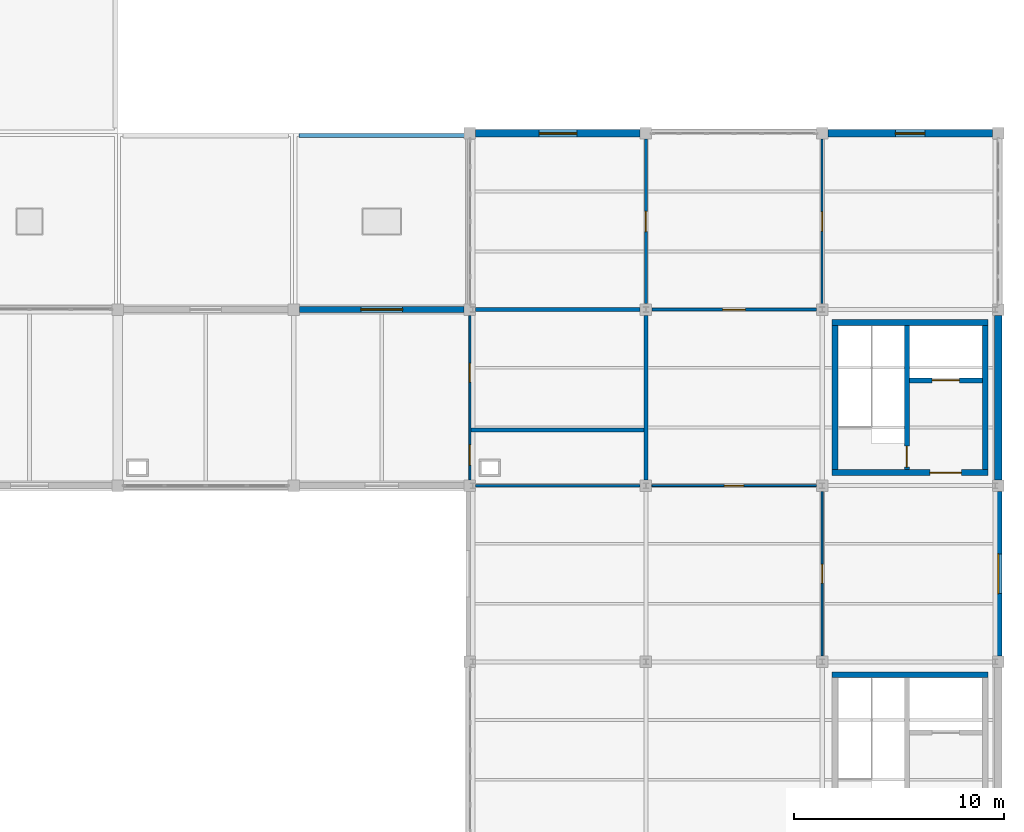
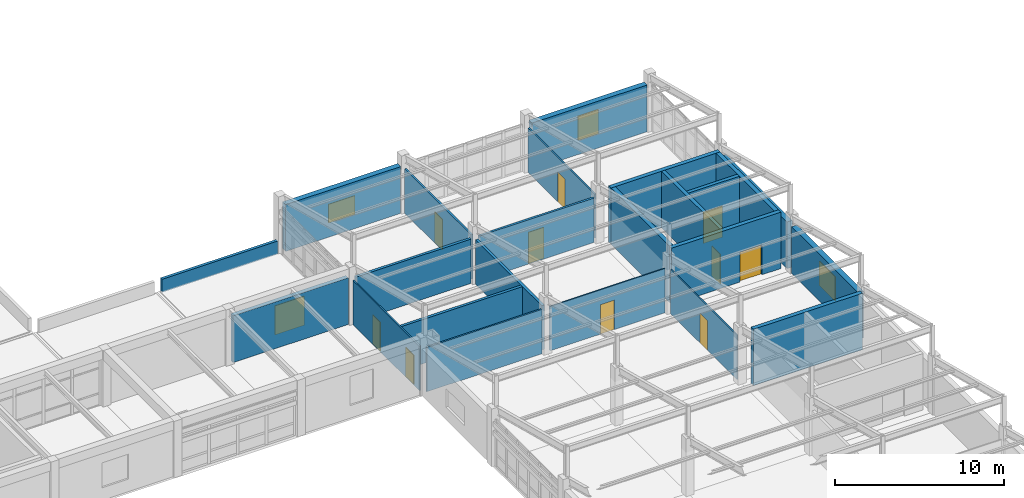
# One storey, part 69 of 74: 23 walls, 10 doors, 4 windows, 14 openings.
"""IFC4 building model written with IfcOpenShell, lengths in metres."""

from ifc_helpers import new_model, si_unit, direction, frame, frame_2d, origin, place, context, subcontext, project, spatial, rectangle, extrude, material, layer, layer_set, type_object, element, fill, save


model = new_model("IFC4")

# Units and contexts
model_context = context("Model", 3, precision=1e-05, world=origin(), true_north=direction((0.0, 1.0)))
body_context = subcontext(model_context, "Body", "Model", "MODEL_VIEW")
ifc_project = project(units=[si_unit("LENGTHUNIT", "METRE"), si_unit("AREAUNIT", "SQUARE_METRE"), si_unit("VOLUMEUNIT", "CUBIC_METRE"), si_unit("PLANEANGLEUNIT", "RADIAN"), si_unit("MASSUNIT", "GRAM", prefix="KILO")], contexts=[model_context])

# Site, building, storey
site_placement = place(None, origin())
site = spatial("IfcSite", under=ifc_project, at=site_placement, CompositionType="ELEMENT")
building_placement = place(site_placement, origin())
building = spatial("IfcBuilding", under=site, at=building_placement, Name="Porcellanite Civic Hall", CompositionType="ELEMENT")
storey_placement = place(building_placement, frame((0.0, 0.0, 14.760009765625)))
storey = spatial("IfcBuildingStorey", under=building, at=storey_placement, Name="L03", CompositionType="ELEMENT", Elevation=14.760009765625)

# Wall, opening, door
ifc_material_1 = material(Name="Concrete N40 (40 MPa)", Category="concrete")
ifc_layer_1 = layer(ifc_material_1, 0.239990234375)
ifc_layer_set_1 = layer_set([ifc_layer_1], Name="Concrete N40 (40 MPa)")
wall_type_1 = type_object("IfcWallType", Name="CW-SH240", PredefinedType="SHEAR", material=ifc_layer_set_1)
wall_1_placement = place(storey_placement, frame((163.639892578125, 51.159912109375, 0.0), z_axis=(0.0, 0.0, 1.0), x_axis=(0.0, 1.0, 0.0)))
wall_1 = element("IfcWall", 1, at=wall_1_placement, inside=storey, type_object=wall_type_1, Name="Core divider C8 L03", PredefinedType="SHEAR", context=body_context, shape_type="SweptSolid", body=[
    extrude(rectangle(XDim=6.880126953125, YDim=0.239990234375, at=frame_2d((3.43994140625, 0.0))), origin(), (0.0, 0.0, 1.0), 4.070068359375),
])
opening_1_placement = place(wall_1_placement, frame((0.1201171875, 0.0, 0.0)))
opening_1 = element("IfcOpeningElement", 2, at=opening_1_placement, cuts=wall_1, Name="Opening FD-C8-L03-ST", PredefinedType="OPENING", context=body_context, shape_type="SweptSolid", body=[
    extrude(rectangle(XDim=1.0, YDim=2.14990234375, at=frame_2d((0.5, 1.074951171875))), frame((0.0, 0.1201171875, 0.0), z_axis=(0.0, -1.0, 0.0), x_axis=(1.0, 0.0, 0.0)), (0.0, 0.0, 1.0), 0.239990234375),
])
ifc_material_2 = material(Name="Fire-rated solid-core hardwood timber", Category="wood")
door_type_1 = type_object("IfcDoorType", Name="DR-FD100", OperationType="NOTDEFINED", PredefinedType="DOOR", material=ifc_material_2)
door_1_placement = place(opening_1_placement, origin())
door_1 = element("IfcDoor", 3, at=door_1_placement, inside=storey, type_object=door_type_1, Name="Fire stair door FD-C8-L03-ST", OperationType="SINGLE_SWING_LEFT", OverallHeight=2.14990234375, OverallWidth=1.0, PredefinedType="DOOR", context=body_context, shape_type="SweptSolid", body=[
    extrude(rectangle(XDim=1.0, YDim=2.14990234375, at=frame_2d((0.5, 1.074951171875))), frame((0.0, 0.02490234375, 0.0), z_axis=(0.0, -1.0, 0.0), x_axis=(1.0, 0.0, 0.0)), (0.0, 0.0, 1.0), 0.050048828125),
])
fill(opening_1, door_1)

wall_2_placement = place(storey_placement, frame((163.760009765625, 55.419921875, 0.0), z_axis=(0.0, 0.0, 1.0), x_axis=(1.0, 0.0, 0.0)))
wall_2 = element("IfcWall", 4, at=wall_2_placement, inside=storey, type_object=wall_type_1, Name="Lift shaft wall C8 L03", PredefinedType="SHEAR", context=body_context, shape_type="SweptSolid", body=[
    extrude(rectangle(XDim=3.47998046875, YDim=0.239990234375, at=frame_2d((1.739990234375, 0.0))), origin(), (0.0, 0.0, 1.0), 4.070068359375),
])
opening_2_placement = place(wall_2_placement, frame((1.090087890625, 0.0, 0.0)))
opening_2 = element("IfcOpeningElement", 5, at=opening_2_placement, cuts=wall_2, Name="Opening LD-08", PredefinedType="OPENING", context=body_context, shape_type="SweptSolid", body=[
    extrude(rectangle(XDim=1.300048828125, YDim=2.25, at=frame_2d((0.64990234375, 1.125))), frame((0.0, 0.1201171875, 0.0), z_axis=(0.0, -1.0, 0.0), x_axis=(1.0, 0.0, 0.0)), (0.0, 0.0, 1.0), 0.239990234375),
])
ifc_material_3 = material(Name="Brushed stainless steel 316", Category="steel")
door_type_2 = type_object("IfcDoorType", Name="DR-LD130", OperationType="DOUBLE_DOOR_SLIDING", PredefinedType="DOOR", material=ifc_material_3)
door_2_placement = place(opening_2_placement, origin())
door_2 = element("IfcDoor", 6, at=door_2_placement, inside=storey, type_object=door_type_2, Name="Lift landing sliding door LD-08 L03", OperationType="DOUBLE_DOOR_SLIDING", OverallHeight=2.25, OverallWidth=1.300048828125, PredefinedType="DOOR", context=body_context, shape_type="SweptSolid", body=[
    extrude(rectangle(XDim=1.300048828125, YDim=2.25, at=frame_2d((0.64990234375, 1.125))), frame((0.0, 0.02490234375, 0.0), z_axis=(0.0, -1.0, 0.0), x_axis=(1.0, 0.0, 0.0)), (0.0, 0.0, 1.0), 0.050048828125),
])
fill(opening_2, door_2)

# Wall
ifc_material_4 = material(Name="Concrete N40 (40 MPa)", Category="concrete")
ifc_layer_2 = layer(ifc_material_4, 0.280029296875)
ifc_layer_set_2 = layer_set([ifc_layer_2], Name="Concrete N40 (40 MPa)")
wall_type_2 = type_object("IfcWallType", Name="CW-SH280", PredefinedType="SHEAR", material=ifc_layer_set_2)
wall_3_placement = place(storey_placement, frame((160.080078125, 41.3798828125, 0.0), z_axis=(0.0, 0.0, 1.0), x_axis=(1.0, 0.0, 0.0)))
element("IfcWall", 7, at=wall_3_placement, inside=storey, type_object=wall_type_2, Name="Core wall C7 L03 N", PredefinedType="SHEAR", context=body_context, shape_type="SweptSolid", body=[
    extrude(rectangle(XDim=7.43994140625, YDim=0.280029296875, at=frame_2d((3.719970703125, 0.0))), origin(), (0.0, 0.0, 1.0), 4.070068359375),
])

# Wall, opening, door
wall_4_placement = place(storey_placement, frame((167.52001953125, 51.02001953125, 0.0), z_axis=(0.0, 0.0, 1.0), x_axis=(-1.0, 0.0, 0.0)))
wall_4 = element("IfcWall", 8, at=wall_4_placement, inside=storey, type_object=wall_type_2, Name="Core wall C8 L03 S", PredefinedType="SHEAR", context=body_context, shape_type="SweptSolid", body=[
    extrude(rectangle(XDim=7.43994140625, YDim=0.280029296875, at=frame_2d((3.719970703125, 0.0))), origin(), (0.0, 0.0, 1.0), 4.070068359375),
])
opening_3_placement = place(wall_4_placement, frame((1.280029296875, 0.0, 0.0)))
opening_3 = element("IfcOpeningElement", 9, at=opening_3_placement, cuts=wall_4, Name="Opening FD-C8-L03-LB", PredefinedType="OPENING", context=body_context, shape_type="SweptSolid", body=[
    extrude(rectangle(XDim=1.5, YDim=2.14990234375, at=frame_2d((0.75, 1.074951171875))), frame((0.0, 0.14013671875, 0.0), z_axis=(0.0, -1.0, 0.0), x_axis=(1.0, 0.0, 0.0)), (0.0, 0.0, 1.0), 0.280029296875),
])
ifc_material_5 = material(Name="Fire-rated steel and Georgian wired glass", Category="steel")
door_type_3 = type_object("IfcDoorType", Name="DR-FD150", OperationType="DOUBLE_DOOR_SINGLE_SWING", PredefinedType="DOOR", material=ifc_material_5)
door_3_placement = place(opening_3_placement, origin())
door_3 = element("IfcDoor", 10, at=door_3_placement, inside=storey, type_object=door_type_3, Name="Fire lobby double door FD-C8-L03-LB", OperationType="DOUBLE_DOOR_SINGLE_SWING", OverallHeight=2.14990234375, OverallWidth=1.5, PredefinedType="DOOR", context=body_context, shape_type="SweptSolid", body=[
    extrude(rectangle(XDim=1.5, YDim=2.14990234375, at=frame_2d((0.75, 1.074951171875))), frame((0.0, 0.02490234375, 0.0), z_axis=(0.0, -1.0, 0.0), x_axis=(1.0, 0.0, 0.0)), (0.0, 0.0, 1.0), 0.050048828125),
])
fill(opening_3, door_3)

# Walls
wall_5_placement = place(storey_placement, frame((160.219970703125, 51.159912109375, 0.0), z_axis=(0.0, 0.0, 1.0), x_axis=(0.0, 1.0, 0.0)))
element("IfcWall", 11, at=wall_5_placement, inside=storey, type_object=wall_type_2, Name="Core wall C8 L03 W", PredefinedType="SHEAR", context=body_context, shape_type="SweptSolid", body=[
    extrude(rectangle(XDim=6.880126953125, YDim=0.280029296875, at=frame_2d((3.43994140625, 0.0))), origin(), (0.0, 0.0, 1.0), 4.070068359375),
])
wall_6_placement = place(storey_placement, frame((160.080078125, 58.179931640625, 0.0), z_axis=(0.0, 0.0, 1.0), x_axis=(1.0, 0.0, 0.0)))
element("IfcWall", 12, at=wall_6_placement, inside=storey, type_object=wall_type_2, Name="Core wall C8 L03 N", PredefinedType="SHEAR", context=body_context, shape_type="SweptSolid", body=[
    extrude(rectangle(XDim=7.43994140625, YDim=0.280029296875, at=frame_2d((3.719970703125, 0.0))), origin(), (0.0, 0.0, 1.0), 4.070068359375),
])
wall_7_placement = place(storey_placement, frame((167.3798828125, 58.0400390625, 0.0), z_axis=(0.0, 0.0, 1.0), x_axis=(0.0, -1.0, 0.0)))
element("IfcWall", 13, at=wall_7_placement, inside=storey, type_object=wall_type_2, Name="Core wall C8 L03 E", PredefinedType="SHEAR", context=body_context, shape_type="SweptSolid", body=[
    extrude(rectangle(XDim=6.880126953125, YDim=0.280029296875, at=frame_2d((3.43994140625, 0.0))), origin(), (0.0, 0.0, 1.0), 4.070068359375),
])

# Wall, opening, window
ifc_material_6 = material(Name="Precast concrete N40 (40 MPa)", Category="concrete")
ifc_layer_3 = layer(ifc_material_6, 0.280029296875)
ifc_layer_set_3 = layer_set([ifc_layer_3], Name="Precast concrete N40 (40 MPa)")
wall_type_3 = type_object("IfcWallType", Name="EW-CLO280", PredefinedType="SOLIDWALL", material=ifc_layer_set_3)
wall_8_placement = place(storey_placement, frame((134.676025390625, 58.800048828125, 0.0), z_axis=(0.0, 0.0, 1.0), x_axis=(1.0, 0.0, 0.0)))
wall_8 = element("IfcWall", 14, at=wall_8_placement, inside=storey, type_object=wall_type_3, Name="Exterior wall L03 N 17-7", PredefinedType="SOLIDWALL", context=body_context, shape_type="SweptSolid", body=[
    extrude(rectangle(XDim=7.847900390625, YDim=0.280029296875, at=frame_2d((3.923828125, 0.0))), origin(), (0.0, 0.0, 1.0), 3.369873046875),
])
opening_4_placement = place(wall_8_placement, frame((2.924072265625, 0.0, 0.89990234375)))
opening_4 = element("IfcOpeningElement", 15, at=opening_4_placement, cuts=wall_8, Name="Opening W06", PredefinedType="OPENING", context=body_context, shape_type="SweptSolid", body=[
    extrude(rectangle(XDim=2.0, YDim=2.10009765625, at=frame_2d((1.0, 1.050048828125))), frame((0.0, 0.14013671875, 0.0), z_axis=(0.0, -1.0, 0.0), x_axis=(1.0, 0.0, 0.0)), (0.0, 0.0, 1.0), 0.280029296875),
])
ifc_material_7 = material(Name="Cyclone laminated low-E glazing in anodised aluminium frame", Category="aluminium")
window_type_1 = type_object("IfcWindowType", Name="WN-06", PartitioningType="DOUBLE_PANEL_VERTICAL", PredefinedType="WINDOW", material=ifc_material_7)
window_1_placement = place(opening_4_placement, origin())
window_1 = element("IfcWindow", 16, at=window_1_placement, inside=storey, type_object=window_type_1, Name="Window W06 L03 N 17-7", OverallHeight=2.10009765625, OverallWidth=2.0, PartitioningType="SINGLE_PANEL", PredefinedType="WINDOW", context=body_context, shape_type="SweptSolid", body=[
    extrude(rectangle(XDim=2.0, YDim=2.10009765625, at=frame_2d((1.0, 1.050048828125))), frame((0.0, 0.030029296875, 0.0), z_axis=(0.0, -1.0, 0.0), x_axis=(1.0, 0.0, 0.0)), (0.0, 0.0, 1.0), 0.06005859375),
])
fill(opening_4, window_1)

ifc_material_8 = material(Name="Precast concrete N40 (40 MPa)", Category="concrete")
ifc_layer_4 = layer(ifc_material_8, 0.360107421875)
ifc_layer_set_4 = layer_set([ifc_layer_4], Name="Precast concrete N40 (40 MPa)")
wall_type_4 = type_object("IfcWallType", Name="EW-LIB360", PredefinedType="SOLIDWALL", material=ifc_layer_set_4)
wall_9_placement = place(storey_placement, frame((143.075927734375, 67.199951171875, 0.0), z_axis=(0.0, 0.0, 1.0), x_axis=(1.0, 0.0, 0.0)))
wall_9 = element("IfcWall", 17, at=wall_9_placement, inside=storey, type_object=wall_type_4, Name="Exterior wall L03 N 18-8", PredefinedType="SOLIDWALL", context=body_context, shape_type="SweptSolid", body=[
    extrude(rectangle(XDim=7.84814453125, YDim=0.360107421875, at=frame_2d((3.924072265625, 0.0))), origin(), (0.0, 0.0, 1.0), 3.369873046875),
])
opening_5_placement = place(wall_9_placement, frame((3.02392578125, 0.0, 0.89990234375)))
opening_5 = element("IfcOpeningElement", 18, at=opening_5_placement, cuts=wall_9, Name="Opening W12", PredefinedType="OPENING", context=body_context, shape_type="SweptSolid", body=[
    extrude(rectangle(XDim=1.800048828125, YDim=1.35009765625, at=frame_2d((0.89990234375, 0.675048828125))), frame((0.0, 0.18017578125, 0.0), z_axis=(0.0, -1.0, 0.0), x_axis=(1.0, 0.0, 0.0)), (0.0, 0.0, 1.0), 0.360107421875),
])
ifc_material_9 = material(Name="Cyclone laminated low-E glazing in anodised aluminium frame", Category="aluminium")
window_type_2 = type_object("IfcWindowType", Name="WN-12", PartitioningType="DOUBLE_PANEL_VERTICAL", PredefinedType="WINDOW", material=ifc_material_9)
window_2_placement = place(opening_5_placement, origin())
window_2 = element("IfcWindow", 19, at=window_2_placement, inside=storey, type_object=window_type_2, Name="Window W12 L03 N 18-8", OverallHeight=1.35009765625, OverallWidth=1.800048828125, PartitioningType="SINGLE_PANEL", PredefinedType="WINDOW", context=body_context, shape_type="SweptSolid", body=[
    extrude(rectangle(XDim=1.800048828125, YDim=1.35009765625, at=frame_2d((0.89990234375, 0.675048828125))), frame((0.0, 0.030029296875, 0.0), z_axis=(0.0, -1.0, 0.0), x_axis=(1.0, 0.0, 0.0)), (0.0, 0.0, 1.0), 0.06005859375),
])
fill(opening_5, window_2)

wall_10_placement = place(storey_placement, frame((168.0, 50.1240234375, 0.0), z_axis=(0.0, 0.0, 1.0), x_axis=(0.0, -1.0, 0.0)))
wall_10 = element("IfcWall", 20, at=wall_10_placement, inside=storey, type_object=wall_type_4, Name="Exterior wall L03 E 20-6", PredefinedType="SOLIDWALL", context=body_context, shape_type="SweptSolid", body=[
    extrude(rectangle(XDim=7.84814453125, YDim=0.360107421875, at=frame_2d((3.924072265625, 0.0))), origin(), (0.0, 0.0, 1.0), 3.369873046875),
])
opening_6_placement = place(wall_10_placement, frame((2.97412109375, 0.0, 0.89990234375)))
opening_6 = element("IfcOpeningElement", 21, at=opening_6_placement, cuts=wall_10, Name="Opening W15", PredefinedType="OPENING", context=body_context, shape_type="SweptSolid", body=[
    extrude(rectangle(XDim=1.89990234375, YDim=1.75, at=frame_2d((0.949951171875, 0.875))), frame((0.0, 0.18017578125, 0.0), z_axis=(0.0, -1.0, 0.0), x_axis=(1.0, 0.0, 0.0)), (0.0, 0.0, 1.0), 0.360107421875),
])
ifc_material_10 = material(Name="Cyclone laminated low-E glazing in anodised aluminium frame", Category="aluminium")
window_type_3 = type_object("IfcWindowType", Name="WN-15", PartitioningType="DOUBLE_PANEL_VERTICAL", PredefinedType="WINDOW", material=ifc_material_10)
window_3_placement = place(opening_6_placement, origin())
window_3 = element("IfcWindow", 22, at=window_3_placement, inside=storey, type_object=window_type_3, Name="Window W15 L03 E 20-6", OverallHeight=1.75, OverallWidth=1.89990234375, PartitioningType="SINGLE_PANEL", PredefinedType="WINDOW", context=body_context, shape_type="SweptSolid", body=[
    extrude(rectangle(XDim=1.89990234375, YDim=1.75, at=frame_2d((0.949951171875, 0.875))), frame((0.0, 0.030029296875, 0.0), z_axis=(0.0, -1.0, 0.0), x_axis=(1.0, 0.0, 0.0)), (0.0, 0.0, 1.0), 0.06005859375),
])
fill(opening_6, window_3)

# Wall
wall_11_placement = place(storey_placement, frame((168.0, 58.52392578125, 0.0), z_axis=(0.0, 0.0, 1.0), x_axis=(0.0, -1.0, 0.0)))
element("IfcWall", 23, at=wall_11_placement, inside=storey, type_object=wall_type_4, Name="Exterior wall L03 E 20-7", PredefinedType="SOLIDWALL", context=body_context, shape_type="SweptSolid", body=[
    extrude(rectangle(XDim=7.847900390625, YDim=0.360107421875, at=frame_2d((3.923828125, 0.0))), origin(), (0.0, 0.0, 1.0), 3.369873046875),
])

# Wall, opening, window
wall_12_placement = place(storey_placement, frame((159.8759765625, 67.199951171875, 0.0), z_axis=(0.0, 0.0, 1.0), x_axis=(1.0, 0.0, 0.0)))
wall_12 = element("IfcWall", 24, at=wall_12_placement, inside=storey, type_object=wall_type_4, Name="Exterior wall L03 N 20-8", PredefinedType="SOLIDWALL", context=body_context, shape_type="SweptSolid", body=[
    extrude(rectangle(XDim=7.84814453125, YDim=0.360107421875, at=frame_2d((3.924072265625, 0.0))), origin(), (0.0, 0.0, 1.0), 3.369873046875),
])
opening_7_placement = place(wall_12_placement, frame((3.22412109375, 0.0, 0.89990234375)))
opening_7 = element("IfcOpeningElement", 25, at=opening_7_placement, cuts=wall_12, Name="Opening W16", PredefinedType="OPENING", context=body_context, shape_type="SweptSolid", body=[
    extrude(rectangle(XDim=1.39990234375, YDim=1.75, at=frame_2d((0.699951171875, 0.875))), frame((0.0, 0.18017578125, 0.0), z_axis=(0.0, -1.0, 0.0), x_axis=(1.0, 0.0, 0.0)), (0.0, 0.0, 1.0), 0.360107421875),
])
ifc_material_11 = material(Name="Cyclone laminated low-E glazing in anodised aluminium frame", Category="aluminium")
window_type_4 = type_object("IfcWindowType", Name="WN-16", PartitioningType="SINGLE_PANEL", PredefinedType="WINDOW", material=ifc_material_11)
window_4_placement = place(opening_7_placement, origin())
window_4 = element("IfcWindow", 26, at=window_4_placement, inside=storey, type_object=window_type_4, Name="Window W16 L03 N 20-8", OverallHeight=1.75, OverallWidth=1.39990234375, PartitioningType="SINGLE_PANEL", PredefinedType="WINDOW", context=body_context, shape_type="SweptSolid", body=[
    extrude(rectangle(XDim=1.39990234375, YDim=1.75, at=frame_2d((0.699951171875, 0.875))), frame((0.0, 0.030029296875, 0.0), z_axis=(0.0, -1.0, 0.0), x_axis=(1.0, 0.0, 0.0)), (0.0, 0.0, 1.0), 0.06005859375),
])
fill(opening_7, window_4)

# Wall, opening, door
ifc_material_12 = material(Name="Insulated acoustic plasterboard on light-gauge steel studs", Category="steel")
ifc_layer_5 = layer(ifc_material_12, 0.087890625)
ifc_layer_set_5 = layer_set([ifc_layer_5], Name="Insulated acoustic plasterboard on light-gauge steel studs")
wall_type_5 = type_object("IfcWallType", Name="IW-PT088", PredefinedType="PARTITIONING", material=ifc_layer_set_5)
wall_13_placement = place(storey_placement, frame((151.47705078125, 50.39990234375, 0.0), z_axis=(0.0, 0.0, 1.0), x_axis=(1.0, 0.0, 0.0)))
wall_13 = element("IfcWall", 27, at=wall_13_placement, inside=storey, type_object=wall_type_5, Name="Partition L03 H 19-6", PredefinedType="PARTITIONING", context=body_context, shape_type="SweptSolid", body=[
    extrude(rectangle(XDim=7.845947265625, YDim=0.087890625, at=frame_2d((3.9228515625, 0.0))), origin(), (0.0, 0.0, 1.0), 3.18994140625),
])
opening_8_placement = place(wall_13_placement, frame((3.4580078125, 0.0, 0.0)))
opening_8 = element("IfcOpeningElement", 28, at=opening_8_placement, cuts=wall_13, Name="Opening D-L03-441", PredefinedType="OPENING", context=body_context, shape_type="SweptSolid", body=[
    extrude(rectangle(XDim=0.929931640625, YDim=2.1201171875, at=frame_2d((0.46484375, 1.06005859375))), frame((0.0, 0.0439453125, 0.0), z_axis=(0.0, -1.0, 0.0), x_axis=(1.0, 0.0, 0.0)), (0.0, 0.0, 1.0), 0.087890625),
])
ifc_material_13 = material(Name="Solid-core spotted-gum timber", Category="wood")
door_type_4 = type_object("IfcDoorType", Name="DR-RM093", OperationType="NOTDEFINED", PredefinedType="DOOR", material=ifc_material_13)
door_4_placement = place(opening_8_placement, origin())
door_4 = element("IfcDoor", 29, at=door_4_placement, inside=storey, type_object=door_type_4, Name="Interior door D-L03-441", OperationType="SINGLE_SWING_LEFT", OverallHeight=2.1201171875, OverallWidth=0.929931640625, PredefinedType="DOOR", context=body_context, shape_type="SweptSolid", body=[
    extrude(rectangle(XDim=0.929931640625, YDim=2.1201171875, at=frame_2d((0.46484375, 1.06005859375))), frame((0.0, 0.02490234375, 0.0), z_axis=(0.0, -1.0, 0.0), x_axis=(1.0, 0.0, 0.0)), (0.0, 0.0, 1.0), 0.050048828125),
])
fill(opening_8, door_4)

wall_14_placement = place(storey_placement, frame((159.60009765625, 42.277099609375, 0.0), z_axis=(0.0, 0.0, 1.0), x_axis=(0.0, 1.0, 0.0)))
wall_14 = element("IfcWall", 30, at=wall_14_placement, inside=storey, type_object=wall_type_5, Name="Partition L03 V 19-6", PredefinedType="PARTITIONING", context=body_context, shape_type="SweptSolid", body=[
    extrude(rectangle(XDim=7.845947265625, YDim=0.087890625, at=frame_2d((3.9228515625, 0.0))), origin(), (0.0, 0.0, 1.0), 3.18994140625),
])
opening_9_placement = place(wall_14_placement, frame((3.462890625, 0.0, 0.0)))
opening_9 = element("IfcOpeningElement", 31, at=opening_9_placement, cuts=wall_14, Name="Opening D-L03-437", PredefinedType="OPENING", context=body_context, shape_type="SweptSolid", body=[
    extrude(rectangle(XDim=0.919921875, YDim=2.14990234375, at=frame_2d((0.4599609375, 1.074951171875))), frame((0.0, 0.0439453125, 0.0), z_axis=(0.0, -1.0, 0.0), x_axis=(1.0, 0.0, 0.0)), (0.0, 0.0, 1.0), 0.087890625),
])
ifc_material_14 = material(Name="Solid-core spotted-gum timber", Category="wood")
door_type_5 = type_object("IfcDoorType", Name="DR-RM092", OperationType="NOTDEFINED", PredefinedType="DOOR", material=ifc_material_14)
door_5_placement = place(opening_9_placement, origin())
door_5 = element("IfcDoor", 32, at=door_5_placement, inside=storey, type_object=door_type_5, Name="Interior door D-L03-437", OperationType="SINGLE_SWING_LEFT", OverallHeight=2.14990234375, OverallWidth=0.919921875, PredefinedType="DOOR", context=body_context, shape_type="SweptSolid", body=[
    extrude(rectangle(XDim=0.919921875, YDim=2.14990234375, at=frame_2d((0.4599609375, 1.074951171875))), frame((0.0, 0.02490234375, 0.0), z_axis=(0.0, -1.0, 0.0), x_axis=(1.0, 0.0, 0.0)), (0.0, 0.0, 1.0), 0.050048828125),
])
fill(opening_9, door_5)

# Wall, openings, doors
ifc_material_15 = material(Name="Insulated acoustic plasterboard on light-gauge steel studs", Category="steel")
ifc_layer_6 = layer(ifc_material_15, 0.094970703125)
ifc_layer_set_6 = layer_set([ifc_layer_6], Name="Insulated acoustic plasterboard on light-gauge steel studs")
wall_type_6 = type_object("IfcWallType", Name="IW-PT095", PredefinedType="PARTITIONING", material=ifc_layer_set_6)
wall_15_placement = place(storey_placement, frame((142.800048828125, 50.677001953125, 0.0), z_axis=(0.0, 0.0, 1.0), x_axis=(0.0, 1.0, 0.0)))
wall_15 = element("IfcWall", 33, at=wall_15_placement, inside=storey, type_object=wall_type_6, Name="Partition L03 V 17-7", PredefinedType="PARTITIONING", context=body_context, shape_type="SweptSolid", body=[
    extrude(rectangle(XDim=7.845947265625, YDim=0.094970703125, at=frame_2d((3.9228515625, 0.0))), origin(), (0.0, 0.0, 1.0), 3.18994140625),
])
opening_10_placement = place(wall_15_placement, frame((0.7080078125, 0.0, 0.0)))
opening_10 = element("IfcOpeningElement", 34, at=opening_10_placement, cuts=wall_15, Name="Opening D-L03-412", PredefinedType="OPENING", context=body_context, shape_type="SweptSolid", body=[
    extrude(rectangle(XDim=0.9599609375, YDim=2.10009765625, at=frame_2d((0.47998046875, 1.050048828125))), frame((0.0, 0.04736328125, 0.0), z_axis=(0.0, -1.0, 0.0), x_axis=(1.0, 0.0, 0.0)), (0.0, 0.0, 1.0), 0.094970703125),
])
opening_11_placement = place(wall_15_placement, frame((4.64794921875, 0.0, 0.0)))
opening_11 = element("IfcOpeningElement", 35, at=opening_11_placement, cuts=wall_15, Name="Opening D-L03-413", PredefinedType="OPENING", context=body_context, shape_type="SweptSolid", body=[
    extrude(rectangle(XDim=0.919921875, YDim=2.10009765625, at=frame_2d((0.4599609375, 1.050048828125))), frame((0.0, 0.04736328125, 0.0), z_axis=(0.0, -1.0, 0.0), x_axis=(1.0, 0.0, 0.0)), (0.0, 0.0, 1.0), 0.094970703125),
])
ifc_material_16 = material(Name="Moisture-resistant laminate solid-core timber", Category="wood")
door_type_6 = type_object("IfcDoorType", Name="DR-WC092", OperationType="NOTDEFINED", PredefinedType="DOOR", material=ifc_material_16)
door_6_placement = place(opening_11_placement, origin())
door_6 = element("IfcDoor", 36, at=door_6_placement, inside=storey, type_object=door_type_6, Name="Interior door D-L03-413", OperationType="SINGLE_SWING_LEFT", OverallHeight=2.10009765625, OverallWidth=0.919921875, PredefinedType="DOOR", context=body_context, shape_type="SweptSolid", body=[
    extrude(rectangle(XDim=0.919921875, YDim=2.10009765625, at=frame_2d((0.4599609375, 1.050048828125))), frame((0.0, 0.02490234375, 0.0), z_axis=(0.0, -1.0, 0.0), x_axis=(1.0, 0.0, 0.0)), (0.0, 0.0, 1.0), 0.050048828125),
])
fill(opening_11, door_6)
ifc_material_17 = material(Name="Moisture-resistant laminate solid-core timber", Category="wood")
door_type_7 = type_object("IfcDoorType", Name="DR-WC096", OperationType="NOTDEFINED", PredefinedType="DOOR", material=ifc_material_17)
door_7_placement = place(opening_10_placement, origin())
door_7 = element("IfcDoor", 37, at=door_7_placement, inside=storey, type_object=door_type_7, Name="Interior door D-L03-412", OperationType="SINGLE_SWING_RIGHT", OverallHeight=2.10009765625, OverallWidth=0.9599609375, PredefinedType="DOOR", context=body_context, shape_type="SweptSolid", body=[
    extrude(rectangle(XDim=0.9599609375, YDim=2.10009765625, at=frame_2d((0.47998046875, 1.050048828125))), frame((0.0, 0.02490234375, 0.0), z_axis=(0.0, -1.0, 0.0), x_axis=(1.0, 0.0, 0.0)), (0.0, 0.0, 1.0), 0.050048828125),
])
fill(opening_10, door_7)

# Wall, opening, door
ifc_material_18 = material(Name="Insulated acoustic plasterboard on light-gauge steel studs", Category="steel")
ifc_layer_7 = layer(ifc_material_18, 0.10498046875)
ifc_layer_set_7 = layer_set([ifc_layer_7], Name="Insulated acoustic plasterboard on light-gauge steel studs")
wall_type_7 = type_object("IfcWallType", Name="IW-PT105", PredefinedType="PARTITIONING", material=ifc_layer_set_7)
wall_16_placement = place(storey_placement, frame((159.60009765625, 59.076904296875, 0.0), z_axis=(0.0, 0.0, 1.0), x_axis=(0.0, 1.0, 0.0)))
wall_16 = element("IfcWall", 38, at=wall_16_placement, inside=storey, type_object=wall_type_7, Name="Partition L03 V 19-8", PredefinedType="PARTITIONING", context=body_context, shape_type="SweptSolid", body=[
    extrude(rectangle(XDim=7.84619140625, YDim=0.10498046875, at=frame_2d((3.923095703125, 0.0))), origin(), (0.0, 0.0, 1.0), 3.18994140625),
])
opening_12_placement = place(wall_16_placement, frame((3.462890625, 0.0, 0.0)))
opening_12 = element("IfcOpeningElement", 39, at=opening_12_placement, cuts=wall_16, Name="Opening D-L03-450", PredefinedType="OPENING", context=body_context, shape_type="SweptSolid", body=[
    extrude(rectangle(XDim=0.919921875, YDim=2.14990234375, at=frame_2d((0.4599609375, 1.074951171875))), frame((0.0, 0.052490234375, 0.0), z_axis=(0.0, -1.0, 0.0), x_axis=(1.0, 0.0, 0.0)), (0.0, 0.0, 1.0), 0.10498046875),
])
door_8_placement = place(opening_12_placement, origin())
door_8 = element("IfcDoor", 40, at=door_8_placement, inside=storey, type_object=door_type_5, Name="Interior door D-L03-450", OperationType="SINGLE_SWING_RIGHT", OverallHeight=2.14990234375, OverallWidth=0.919921875, PredefinedType="DOOR", context=body_context, shape_type="SweptSolid", body=[
    extrude(rectangle(XDim=0.919921875, YDim=2.14990234375, at=frame_2d((0.4599609375, 1.074951171875))), frame((0.0, 0.02490234375, 0.0), z_axis=(0.0, -1.0, 0.0), x_axis=(1.0, 0.0, 0.0)), (0.0, 0.0, 1.0), 0.050048828125),
])
fill(opening_12, door_8)

# Wall
ifc_material_19 = material(Name="Insulated acoustic plasterboard on light-gauge steel studs", Category="steel")
ifc_layer_8 = layer(ifc_material_19, 0.114990234375)
ifc_layer_set_8 = layer_set([ifc_layer_8], Name="Insulated acoustic plasterboard on light-gauge steel studs")
wall_type_8 = type_object("IfcWallType", Name="IW-PT115", PredefinedType="PARTITIONING", material=ifc_layer_set_8)
wall_17_placement = place(storey_placement, frame((143.076904296875, 50.39990234375, 0.0), z_axis=(0.0, 0.0, 1.0), x_axis=(1.0, 0.0, 0.0)))
element("IfcWall", 41, at=wall_17_placement, inside=storey, type_object=wall_type_8, Name="Partition L03 H 18-6", PredefinedType="PARTITIONING", context=body_context, shape_type="SweptSolid", body=[
    extrude(rectangle(XDim=7.84619140625, YDim=0.114990234375, at=frame_2d((3.923095703125, 0.0))), origin(), (0.0, 0.0, 1.0), 3.18994140625),
])

# Wall, opening, door
ifc_material_20 = material(Name="Insulated acoustic plasterboard on light-gauge steel studs", Category="steel")
ifc_layer_9 = layer(ifc_material_20, 0.135009765625)
ifc_layer_set_9 = layer_set([ifc_layer_9], Name="Insulated acoustic plasterboard on light-gauge steel studs")
wall_type_9 = type_object("IfcWallType", Name="IW-PT135", PredefinedType="PARTITIONING", material=ifc_layer_set_9)
wall_18_placement = place(storey_placement, frame((151.199951171875, 59.076904296875, 0.0), z_axis=(0.0, 0.0, 1.0), x_axis=(0.0, 1.0, 0.0)))
wall_18 = element("IfcWall", 42, at=wall_18_placement, inside=storey, type_object=wall_type_9, Name="Partition L03 V 18-8", PredefinedType="PARTITIONING", context=body_context, shape_type="SweptSolid", body=[
    extrude(rectangle(XDim=7.84619140625, YDim=0.135009765625, at=frame_2d((3.923095703125, 0.0))), origin(), (0.0, 0.0, 1.0), 3.18994140625),
])
opening_13_placement = place(wall_18_placement, frame((3.443115234375, 0.0, 0.0)))
opening_13 = element("IfcOpeningElement", 43, at=opening_13_placement, cuts=wall_18, Name="Opening D-L03-448", PredefinedType="OPENING", context=body_context, shape_type="SweptSolid", body=[
    extrude(rectangle(XDim=0.9599609375, YDim=2.179931640625, at=frame_2d((0.47998046875, 1.08984375))), frame((0.0, 0.0673828125, 0.0), z_axis=(0.0, -1.0, 0.0), x_axis=(1.0, 0.0, 0.0)), (0.0, 0.0, 1.0), 0.135009765625),
])
ifc_material_21 = material(Name="Solid-core spotted-gum timber", Category="wood")
door_type_8 = type_object("IfcDoorType", Name="DR-RM096", OperationType="NOTDEFINED", PredefinedType="DOOR", material=ifc_material_21)
door_9_placement = place(opening_13_placement, origin())
door_9 = element("IfcDoor", 44, at=door_9_placement, inside=storey, type_object=door_type_8, Name="Interior door D-L03-448", OperationType="SINGLE_SWING_RIGHT", OverallHeight=2.179931640625, OverallWidth=0.9599609375, PredefinedType="DOOR", context=body_context, shape_type="SweptSolid", body=[
    extrude(rectangle(XDim=0.9599609375, YDim=2.179931640625, at=frame_2d((0.47998046875, 1.08984375))), frame((0.0, 0.02490234375, 0.0), z_axis=(0.0, -1.0, 0.0), x_axis=(1.0, 0.0, 0.0)), (0.0, 0.0, 1.0), 0.050048828125),
])
fill(opening_13, door_9)

ifc_material_22 = material(Name="Insulated acoustic plasterboard on light-gauge steel studs", Category="steel")
ifc_layer_10 = layer(ifc_material_22, 0.155029296875)
ifc_layer_set_10 = layer_set([ifc_layer_10], Name="Insulated acoustic plasterboard on light-gauge steel studs")
wall_type_10 = type_object("IfcWallType", Name="IW-PT155", PredefinedType="PARTITIONING", material=ifc_layer_set_10)
wall_19_placement = place(storey_placement, frame((151.47705078125, 58.800048828125, 0.0), z_axis=(0.0, 0.0, 1.0), x_axis=(1.0, 0.0, 0.0)))
wall_19 = element("IfcWall", 45, at=wall_19_placement, inside=storey, type_object=wall_type_10, Name="Partition L03 H 19-7", PredefinedType="PARTITIONING", context=body_context, shape_type="SweptSolid", body=[
    extrude(rectangle(XDim=7.845947265625, YDim=0.155029296875, at=frame_2d((3.9228515625, 0.0))), origin(), (0.0, 0.0, 1.0), 3.18994140625),
])
opening_14_placement = place(wall_19_placement, frame((3.383056640625, 0.0, 0.0)))
opening_14 = element("IfcOpeningElement", 46, at=opening_14_placement, cuts=wall_19, Name="Opening D-L03-442", PredefinedType="OPENING", context=body_context, shape_type="SweptSolid", body=[
    extrude(rectangle(XDim=1.080078125, YDim=2.25, at=frame_2d((0.5400390625, 1.125))), frame((0.0, 0.07763671875, 0.0), z_axis=(0.0, -1.0, 0.0), x_axis=(1.0, 0.0, 0.0)), (0.0, 0.0, 1.0), 0.155029296875),
])
ifc_material_23 = material(Name="Solid-core spotted-gum timber", Category="wood")
door_type_9 = type_object("IfcDoorType", Name="DR-RM108", OperationType="NOTDEFINED", PredefinedType="DOOR", material=ifc_material_23)
door_10_placement = place(opening_14_placement, origin())
door_10 = element("IfcDoor", 47, at=door_10_placement, inside=storey, type_object=door_type_9, Name="Interior door D-L03-442", OperationType="SINGLE_SWING_RIGHT", OverallHeight=2.25, OverallWidth=1.080078125, PredefinedType="DOOR", context=body_context, shape_type="SweptSolid", body=[
    extrude(rectangle(XDim=1.080078125, YDim=2.25, at=frame_2d((0.5400390625, 1.125))), frame((0.0, 0.02490234375, 0.0), z_axis=(0.0, -1.0, 0.0), x_axis=(1.0, 0.0, 0.0)), (0.0, 0.0, 1.0), 0.050048828125),
])
fill(opening_14, door_10)

# Walls
ifc_material_24 = material(Name="Insulated acoustic plasterboard on light-gauge steel studs", Category="steel")
ifc_layer_11 = layer(ifc_material_24, 0.18505859375)
ifc_layer_set_11 = layer_set([ifc_layer_11], Name="Insulated acoustic plasterboard on light-gauge steel studs")
wall_type_11 = type_object("IfcWallType", Name="IW-PT185", PredefinedType="PARTITIONING", material=ifc_layer_set_11)
wall_20_placement = place(storey_placement, frame((143.076904296875, 58.800048828125, 0.0), z_axis=(0.0, 0.0, 1.0), x_axis=(1.0, 0.0, 0.0)))
element("IfcWall", 48, at=wall_20_placement, inside=storey, type_object=wall_type_11, Name="Partition L03 H 18-7", PredefinedType="PARTITIONING", context=body_context, shape_type="SweptSolid", body=[
    extrude(rectangle(XDim=7.84619140625, YDim=0.18505859375, at=frame_2d((3.923095703125, 0.0))), origin(), (0.0, 0.0, 1.0), 3.18994140625),
])
wall_21_placement = place(storey_placement, frame((151.199951171875, 50.677001953125, 0.0), z_axis=(0.0, 0.0, 1.0), x_axis=(0.0, 1.0, 0.0)))
element("IfcWall", 49, at=wall_21_placement, inside=storey, type_object=wall_type_11, Name="Partition L03 V 18-7", PredefinedType="PARTITIONING", context=body_context, shape_type="SweptSolid", body=[
    extrude(rectangle(XDim=7.845947265625, YDim=0.18505859375, at=frame_2d((3.9228515625, 0.0))), origin(), (0.0, 0.0, 1.0), 3.18994140625),
])
wall_22_placement = place(storey_placement, frame((142.849609375, 53.050048828125, 0.0), z_axis=(0.0, 0.0, 1.0), x_axis=(1.0, 0.0, 0.0)))
element("IfcWall", 50, at=wall_22_placement, inside=storey, type_object=wall_type_11, Name="Partition L03 sub 18-7", PredefinedType="PARTITIONING", context=body_context, shape_type="SweptSolid", body=[
    extrude(rectangle(XDim=8.255859375, YDim=0.18505859375, at=frame_2d((4.1279296875, 0.0))), origin(), (0.0, 0.0, 1.0), 3.18994140625),
])
ifc_material_25 = material(Name="Precast concrete N40 (40 MPa)", Category="concrete")
ifc_layer_12 = layer(ifc_material_25, 0.18994140625)
ifc_layer_set_12 = layer_set([ifc_layer_12], Name="Precast concrete N40 (40 MPa)")
wall_type_12 = type_object("IfcWallType", Name="WP-PAR4", PredefinedType="PARAPET", material=ifc_layer_set_12)
wall_23_placement = place(storey_placement, frame((134.659912109375, 67.10498046875, 0.0), z_axis=(0.0, 0.0, 1.0), x_axis=(1.0, 0.0, 0.0)))
element("IfcWall", 51, at=wall_23_placement, inside=storey, type_object=wall_type_12, Name="Roof parapet L03 N 17-8", PredefinedType="PARAPET", context=body_context, shape_type="SweptSolid", body=[
    extrude(rectangle(XDim=7.880126953125, YDim=0.18994140625, at=frame_2d((3.93994140625, 0.0))), origin(), (0.0, 0.0, 1.0), 0.949951171875),
])

save(model, "model.ifc")
